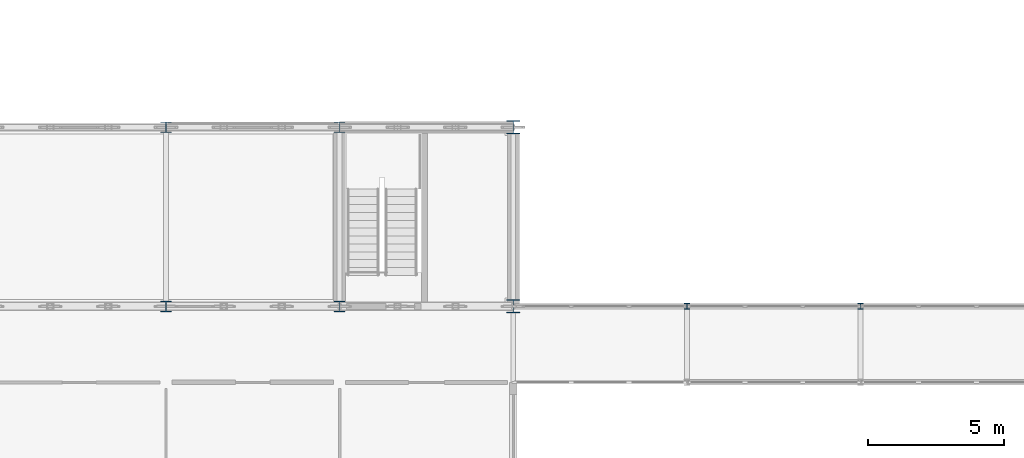
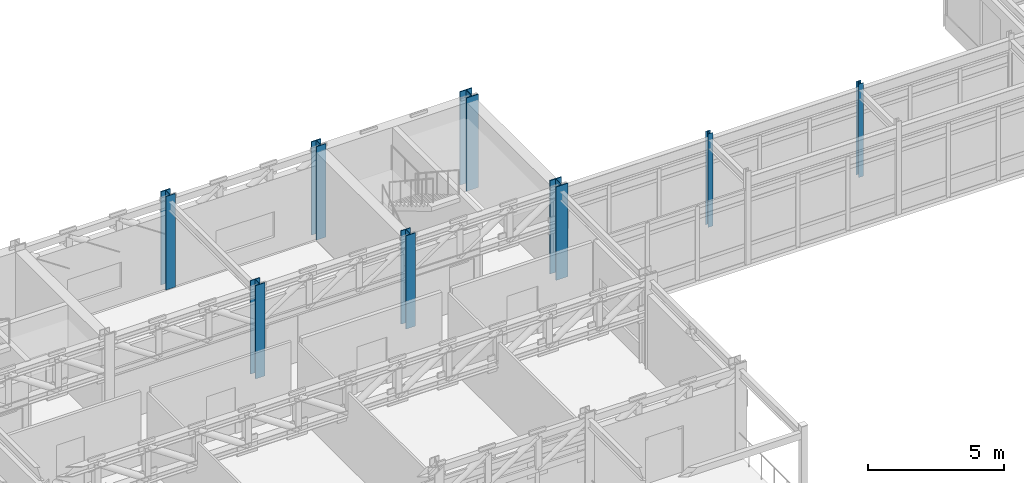
# One storey, part 8 of 144: 8 columns.
"""IFC4 building model written with IfcOpenShell, lengths in metres."""

from ifc_helpers import new_model, si_unit, direction, frame, origin, origin_2d, place, context, subcontext, project, spatial, i_section, extrude, material, material_profile, profile_set, type_object, element, save


model = new_model("IFC4")

# Units and contexts
model_context = context("Model", 3, precision=1e-05, world=origin(), true_north=direction((0.0, 1.0)))
body_context = subcontext(model_context, "Body", "Model", "MODEL_VIEW")
ifc_project = project(units=[si_unit("LENGTHUNIT", "METRE"), si_unit("AREAUNIT", "SQUARE_METRE"), si_unit("VOLUMEUNIT", "CUBIC_METRE"), si_unit("PLANEANGLEUNIT", "RADIAN"), si_unit("MASSUNIT", "GRAM", prefix="KILO")], contexts=[model_context])

# Site, building, storey
site_placement = place(None, origin())
site = spatial("IfcSite", under=ifc_project, at=site_placement, CompositionType="ELEMENT")
building_placement = place(site_placement, origin())
building = spatial("IfcBuilding", under=site, at=building_placement, Name="Trelmorton Wharf Fire Station", CompositionType="ELEMENT")
storey_placement = place(building_placement, frame((0.0, 0.0, 5.39990234375)))
storey = spatial("IfcBuildingStorey", under=building, at=storey_placement, Name="L01", CompositionType="ELEMENT", Elevation=5.39990234375)

# Columns
ifc_material = material(Name="Steel Grade 350", Category="steel")
ifc_material_profile_1 = material_profile(ifc_material, i_section(OverallWidth=0.205078125, OverallDepth=0.2099609375, WebThickness=0.00927734375, FlangeThickness=0.01416015625, FilletRadius=0.011474609375, at=origin_2d()), Name="200UC59.5")
ifc_profile_set_1 = profile_set([ifc_material_profile_1], Name="Steel Grade 350")
column_type_1 = type_object("IfcColumnType", Name="COL_200UC60", PredefinedType="COLUMN", material=ifc_profile_set_1)
for number, where, z_axis, x_axis, name in (
    (1, (90.0, 21.0, 0.0), (0.0, 0.0, 1.0), (1.0, 0.0, 0.0), "COL-L01-0365"),
    (2, (96.39990234375, 21.0, 0.0), (0.0, 0.0, 1.0), (1.0, 0.0, 0.0), "COL-L01-0372"),
):
    element("IfcColumn", number, at=place(storey_placement, frame(where, z_axis=z_axis, x_axis=x_axis)), inside=storey, type_object=column_type_1, Name=name, PredefinedType="COLUMN", context=body_context, shape_type="SweptSolid", body=[
        extrude(i_section(OverallWidth=0.205078125, OverallDepth=0.2099609375, WebThickness=0.00927734375, FlangeThickness=0.01416015625, FilletRadius=0.011474609375, at=origin_2d()), origin(), (0.0, 0.0, 1.0), 4.2001953125),
    ])
ifc_material_profile_2 = material_profile(ifc_material, i_section(OverallWidth=0.39990234375, OverallDepth=0.39990234375, WebThickness=0.02001953125, FlangeThickness=0.031982421875, at=origin_2d()), Name="400WC270")
ifc_profile_set_2 = profile_set([ifc_material_profile_2], Name="Steel Grade 350")
column_type_2 = type_object("IfcColumnType", Name="COL_400WC270", PredefinedType="COLUMN", material=ifc_profile_set_2)
for number, where, z_axis, x_axis, name in (
    (3, (70.800048828125, 21.0, 0.0), (0.0, 0.0, 1.0), (1.0, 0.0, 0.0), "COL-L01-0338"),
    (4, (70.800048828125, 27.60009765625, 0.0), (0.0, 0.0, 1.0), (1.0, 0.0, 0.0), "COL-L01-0339"),
    (5, (77.199951171875, 21.0, 0.0), (0.0, 0.0, 1.0), (1.0, 0.0, 0.0), "COL-L01-0347"),
    (6, (77.199951171875, 27.60009765625, 0.0), (0.0, 0.0, 1.0), (1.0, 0.0, 0.0), "COL-L01-0348"),
):
    element("IfcColumn", number, at=place(storey_placement, frame(where, z_axis=z_axis, x_axis=x_axis)), inside=storey, type_object=column_type_2, Name=name, PredefinedType="COLUMN", context=body_context, shape_type="SweptSolid", body=[
        extrude(i_section(OverallWidth=0.39990234375, OverallDepth=0.39990234375, WebThickness=0.02001953125, FlangeThickness=0.031982421875, at=origin_2d()), origin(), (0.0, 0.0, 1.0), 4.2001953125),
    ])
ifc_material_profile_3 = material_profile(ifc_material, i_section(OverallWidth=0.5, OverallDepth=0.5, WebThickness=0.02001953125, FlangeThickness=0.035888671875, at=origin_2d()), Name="500WC340")
ifc_profile_set_3 = profile_set([ifc_material_profile_3], Name="Steel Grade 350")
column_type_3 = type_object("IfcColumnType", Name="COL_500WC340", PredefinedType="COLUMN", material=ifc_profile_set_3)
for number, where, z_axis, x_axis, name in (
    (7, (83.60009765625, 21.0, 0.0), (0.0, 0.0, 1.0), (1.0, 0.0, 0.0), "COL-L01-0357"),
    (8, (83.60009765625, 27.60009765625, 0.0), (0.0, 0.0, 1.0), (1.0, 0.0, 0.0), "COL-L01-0358"),
):
    element("IfcColumn", number, at=place(storey_placement, frame(where, z_axis=z_axis, x_axis=x_axis)), inside=storey, type_object=column_type_3, Name=name, PredefinedType="COLUMN", context=body_context, shape_type="SweptSolid", body=[
        extrude(i_section(OverallWidth=0.5, OverallDepth=0.5, WebThickness=0.02001953125, FlangeThickness=0.035888671875, at=origin_2d()), origin(), (0.0, 0.0, 1.0), 4.2001953125),
    ])

save(model, "model.ifc")
